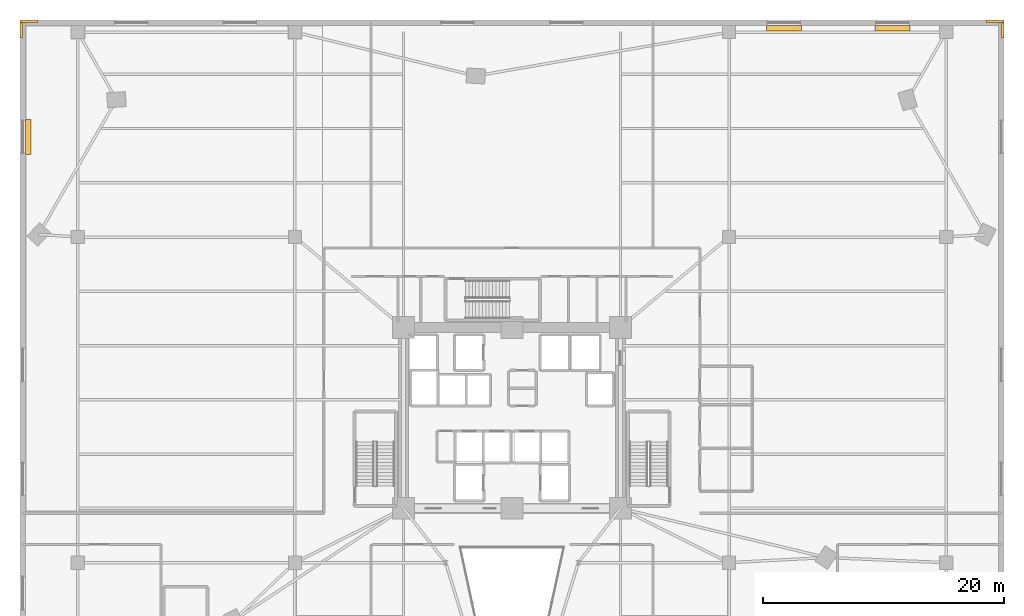
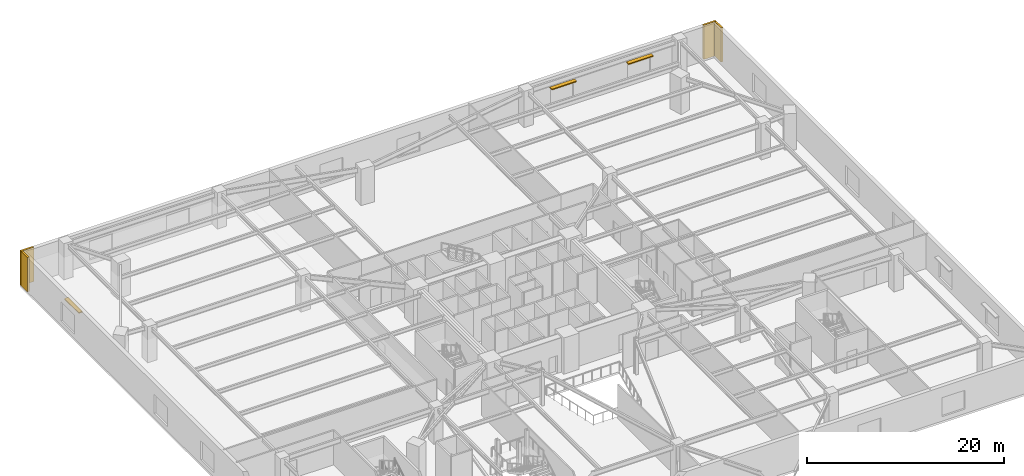
# One storey, part 16 of 16: 4 coverings, 3 shading devices.
"""IFC4 building model written with IfcOpenShell, lengths in metres."""

import ifcopenshell
import ifcopenshell.guid

model = None  # the IFC model being written
_history = None  # IfcOwnerHistory: only IFC2X3 demands one
_inside = {}  # id of a spatial element -> (the spatial element, [elements in it])
_under = {}  # id of a project, library or spatial element -> (it, [spatial elements below it])
_declared = {}  # id of a project -> (the project, [libraries it declares])
_typed = {}  # id of a type object -> (the type object, [elements of that type])
_made_of = {}  # id of a material, layer set ... -> (it, [elements and type objects made of it])


def new_model(schema):
    """Start an empty IFC model of exactly this schema.

    Asked for "IFC4X3", IfcOpenShell would pick the latest addendum, in which some entities
    have other attributes; the version numbers below select the first issue.
    IFC2X3 requires an IfcOwnerHistory on every rooted entity: one is made here for all.
    """
    global model, _history
    if schema == "IFC4X3":
        model = ifcopenshell.file(schema_version=(4, 3, 0, 0))
    else:
        model = ifcopenshell.file(schema=schema)
    _inside.clear()
    _under.clear()
    _declared.clear()
    _typed.clear()
    _made_of.clear()
    _history = None
    if model.schema == "IFC2X3":
        org = make("IfcOrganization", Name="unknown")
        user = make(
            "IfcPersonAndOrganization",
            ThePerson=make("IfcPerson", FamilyName="unknown"),
            TheOrganization=org,
        )
        app = make(
            "IfcApplication",
            ApplicationDeveloper=org,
            Version="unknown",
            ApplicationFullName="unknown",
            ApplicationIdentifier="unknown",
        )
        _history = make(
            "IfcOwnerHistory",
            OwningUser=user,
            OwningApplication=app,
            ChangeAction="ADDED",
            CreationDate=0,
        )
    return model


def make(cls, **values):
    """One entity of the class cls with the attributes given. An attribute that is None is left unset."""
    return model.create_entity(
        cls, **{name: value for name, value in values.items() if value is not None}
    )


def rooted(cls, **values):
    """An entity with a GlobalId (a new one), such as an element, a storey or a relation."""
    return make(cls, GlobalId=ifcopenshell.guid.new(), OwnerHistory=_history, **values)


def si_unit(unit_type, name, prefix=None):
    """IfcSIUnit, for example si_unit("LENGTHUNIT", "METRE", prefix="MILLI")."""
    return make("IfcSIUnit", UnitType=unit_type, Prefix=prefix, Name=name)


def assignment(units):
    """IfcUnitAssignment: the units of a project."""
    return None if units is None else make("IfcUnitAssignment", Units=units)


def point(xyz):
    """IfcCartesianPoint."""
    return None if xyz is None else make("IfcCartesianPoint", Coordinates=xyz)


def direction(xyz):
    """IfcDirection."""
    return None if xyz is None else make("IfcDirection", DirectionRatios=xyz)


def frame(location, z_axis=None, x_axis=None):
    """IfcAxis2Placement3D, a coordinate frame: its origin and axes. An axis left out is left unset."""
    return make(
        "IfcAxis2Placement3D",
        Location=point(location),
        Axis=direction(z_axis),
        RefDirection=direction(x_axis),
    )


def frame_2d(location, x_axis=None):
    """IfcAxis2Placement2D, a coordinate frame in the plane: its origin and x axis."""
    return make(
        "IfcAxis2Placement2D", Location=point(location), RefDirection=direction(x_axis)
    )


def origin():
    """The frame at (0, 0, 0) with its axes left unset."""
    return frame((0.0, 0.0, 0.0))


def origin_2d():
    """The frame at (0, 0) in the plane with its x axis left unset."""
    return frame_2d((0.0, 0.0))


def place(relative_to, where):
    """IfcLocalPlacement: puts the frame where relative to a parent placement (None: the world)."""
    return make(
        "IfcLocalPlacement", PlacementRelTo=relative_to, RelativePlacement=where
    )


def context(
    kind, dimensions, precision=None, world=None, true_north=None, identifier=None
):
    """IfcGeometricRepresentationContext, for example the 3D "Model" context."""
    return make(
        "IfcGeometricRepresentationContext",
        ContextIdentifier=identifier,
        ContextType=kind,
        CoordinateSpaceDimension=dimensions,
        Precision=precision,
        WorldCoordinateSystem=world,
        TrueNorth=true_north,
    )


def subcontext(parent, identifier, kind, view, scale=None):
    """IfcGeometricRepresentationSubContext, for example "Body" below "Model"."""
    return make(
        "IfcGeometricRepresentationSubContext",
        ContextIdentifier=identifier,
        ContextType=kind,
        ParentContext=parent,
        TargetScale=scale,
        TargetView=view,
    )


def project(units=None, contexts=None):
    """IfcProject with its units and contexts."""
    return rooted(
        "IfcProject",
        Name="project",
        RepresentationContexts=contexts,
        UnitsInContext=assignment(units),
    )


def spatial(cls, under=None, at=None, **own):
    """A site, building, storey or space (cls), placed at a placement, below another one or the project."""
    s = rooted(cls, ObjectPlacement=at, **own)
    if under is not None:
        _under.setdefault(under.id(), (under, []))[1].append(s)
    return s


def profile(cls, at=None, kind="AREA", **sizes):
    """A parametric profile (cls). Its sizes go by their IFC names, for example OverallWidth=200.0."""
    return make(cls, ProfileType=kind, Position=at, **sizes)


def rectangle(**sizes):
    """IfcRectangleProfileDef."""
    return profile("IfcRectangleProfileDef", **sizes)


def extrude(swept, where, along, depth):
    """IfcExtrudedAreaSolid: the profile swept, set in the frame where, extruded along a direction by depth."""
    return make(
        "IfcExtrudedAreaSolid",
        SweptArea=swept,
        Position=where,
        ExtrudedDirection=direction(along),
        Depth=depth,
    )


def shape(context_of_items, identifier, shape_type, items):
    """IfcShapeRepresentation: the items that make up one representation, for example the "Body"."""
    return make(
        "IfcShapeRepresentation",
        ContextOfItems=context_of_items,
        RepresentationIdentifier=identifier,
        RepresentationType=shape_type,
        Items=items,
    )


def source(mapping_origin, context_of_items, identifier, shape_type, items):
    """IfcRepresentationMap: a shape defined once, which mapped items show again and again."""
    return make(
        "IfcRepresentationMap",
        MappingOrigin=mapping_origin,
        MappedRepresentation=shape(context_of_items, identifier, shape_type, items),
    )


def transform(
    local_origin,
    x_axis=None,
    y_axis=None,
    z_axis=None,
    scale=None,
    scale2=None,
    scale3=None,
    uniform=True,
):
    """IfcCartesianTransformationOperator3D, or its non-uniform kind. x_axis, y_axis, z_axis: its Axis1, 2, 3."""
    if uniform:
        return make(
            "IfcCartesianTransformationOperator3D",
            Axis1=direction(x_axis),
            Axis2=direction(y_axis),
            LocalOrigin=point(local_origin),
            Scale=scale,
            Axis3=direction(z_axis),
        )
    return make(
        "IfcCartesianTransformationOperator3DnonUniform",
        Axis1=direction(x_axis),
        Axis2=direction(y_axis),
        LocalOrigin=point(local_origin),
        Scale=scale,
        Axis3=direction(z_axis),
        Scale2=scale2,
        Scale3=scale3,
    )


def mapped(mapping_source, mapping_target):
    """IfcMappedItem: shows the shape of a source again, moved by a transform."""
    return make(
        "IfcMappedItem", MappingSource=mapping_source, MappingTarget=mapping_target
    )


def material(Name=None, Category=None):
    """IfcMaterial."""
    return make("IfcMaterial", Name=Name, Category=Category)


def layer(
    of_material, thickness, ventilated=None, Name=None, Category=None, Priority=None
):
    """IfcMaterialLayer: one layer of a wall or slab, of a material (None: an air gap)."""
    return make(
        "IfcMaterialLayer",
        Material=of_material,
        LayerThickness=thickness,
        IsVentilated=ventilated,
        Name=Name,
        Category=Category,
        Priority=Priority,
    )


def layer_set(layers, Name=None):
    """IfcMaterialLayerSet."""
    return make("IfcMaterialLayerSet", MaterialLayers=layers, LayerSetName=Name)


def material_profile(
    of_material, cross_section, Name=None, Category=None, Priority=None
):
    """IfcMaterialProfile: a cross section and its material."""
    return make(
        "IfcMaterialProfile",
        Name=Name,
        Material=of_material,
        Profile=cross_section,
        Priority=Priority,
        Category=Category,
    )


def profile_set(profiles, Name=None, composite=None):
    """IfcMaterialProfileSet."""
    return make(
        "IfcMaterialProfileSet",
        Name=Name,
        MaterialProfiles=profiles,
        CompositeProfile=composite,
    )


def made_of(thing, what):
    """Note that an element or type object is made of a material, layer set ...; save() writes the relation."""
    if what is not None:
        _made_of.setdefault(what.id(), (what, []))[1].append(thing)
    return thing


def type_object(cls, material=None, **own):
    """A type object (cls), such as IfcWallType, which elements share."""
    return made_of(rooted(cls, **own), material)


def element(
    cls,
    number,
    at=None,
    inside=None,
    cuts=None,
    type_object=None,
    material=None,
    context=None,
    identifier="Body",
    shape_type=None,
    held_by="IfcProductDefinitionShape",
    body=None,
    shapes=None,
    **own,
):
    """One element of the class cls, such as IfcWall. Its Tag is "e" and its number.

    at: its placement. inside: the storey or other place that contains it. cuts: it is an
    opening in that element (IfcRelVoidsElement). A single representation is given by context,
    identifier, shape_type and body (its items); several are given by shapes. held_by: the class
    of the entity that holds the representations. save() writes the other relations.
    """
    e = rooted(cls, Tag="e%d" % number, ObjectPlacement=at, **own)
    if body is not None:
        shapes = [shape(context, identifier, shape_type, body)]
    if shapes is not None:
        e.Representation = make(held_by, Representations=shapes)
    if inside is not None:
        _inside.setdefault(inside.id(), (inside, []))[1].append(e)
    if cuts is not None:
        rooted(
            "IfcRelVoidsElement", RelatingBuildingElement=cuts, RelatedOpeningElement=e
        )
    if type_object is not None:
        _typed.setdefault(type_object.id(), (type_object, []))[1].append(e)
    return made_of(e, material)


def aggregate(whole, parts):
    """IfcRelAggregates: a whole, such as a stair, and the parts it consists of."""
    return rooted("IfcRelAggregates", RelatingObject=whole, RelatedObjects=parts)


def save(model, path):
    """Write the relations noted so far, then the file.

    IfcRelAggregates (storeys below a building ...), IfcRelContainedInSpatialStructure (elements
    in a storey), IfcRelDefinesByType, IfcRelAssociatesMaterial and IfcRelDeclares: one each for
    every whole, place, type object, material and project.
    """
    for whole, parts in _under.values():
        aggregate(whole, parts)
    for where, things in _inside.values():
        rooted(
            "IfcRelContainedInSpatialStructure",
            RelatedElements=things,
            RelatingStructure=where,
        )
    for kind, things in _typed.values():
        rooted("IfcRelDefinesByType", RelatedObjects=things, RelatingType=kind)
    for what, things in _made_of.values():
        rooted("IfcRelAssociatesMaterial", RelatedObjects=things, RelatingMaterial=what)
    for by, libraries in _declared.values():
        rooted("IfcRelDeclares", RelatingContext=by, RelatedDefinitions=libraries)
    model.write(path)


model = new_model("IFC4")

# Units and contexts
model_context = context("Model", 3, precision=1e-05, world=origin(), true_north=direction((0.0, 1.0)))
body_context = subcontext(model_context, "Body", "Model", "MODEL_VIEW")
ifc_project = project(units=[si_unit("LENGTHUNIT", "METRE"), si_unit("AREAUNIT", "SQUARE_METRE"), si_unit("VOLUMEUNIT", "CUBIC_METRE"), si_unit("PLANEANGLEUNIT", "RADIAN"), si_unit("MASSUNIT", "GRAM", prefix="KILO")], contexts=[model_context])

# Site, building, storey
site_placement = place(None, origin())
site = spatial("IfcSite", under=ifc_project, at=site_placement, CompositionType="ELEMENT")
building_placement = place(site_placement, origin())
building = spatial("IfcBuilding", under=site, at=building_placement, Name="Liaohun Quay Tower", CompositionType="ELEMENT")
storey_placement = place(building_placement, frame((0.0, 0.0, 14.39990234375)))
storey = spatial("IfcBuildingStorey", under=building, at=storey_placement, Name="L04", CompositionType="ELEMENT", Elevation=14.39990234375)

# Coverings
ifc_material_1 = material(Name="Bush-hammered Liaodong grey granite stone cladding", Category="masonry")
ifc_layer = layer(ifc_material_1, 0.0400390625, Name="Bush-hammered Liaodong grey granite stone cladding", Category="masonry")
ifc_layer_set = layer_set([ifc_layer], Name="Bush-hammered Liaodong grey granite stone cladding")
covering_type = type_object("IfcCoveringType", Name="COV-EXT-CLD", PredefinedType="CLADDING", material=ifc_layer_set)
shared_shape_1 = source(origin(), body_context, "Body", "SweptSolid", [
    extrude(rectangle(XDim=1.5, YDim=0.219970703125, at=origin_2d()), origin(), (0.0, 0.0, 1.0), 4.25),
])
for number, where, z_axis, x_axis, name in (
    (1, (100.050048828125, 86.889892578125, 0.0), (0.0, 0.0, 1.0), (1.0, 0.0, 0.0), "L04 Corner Granite Pier Cladding NE-X"),
    (2, (19.949951171875, 86.889892578125, 0.0), (0.0, 0.0, 1.0), (1.0, 0.0, 0.0), "L04 Corner Granite Pier Cladding NW-X"),
):
    element("IfcCovering", number, at=place(storey_placement, frame(where, z_axis=z_axis, x_axis=x_axis)), inside=storey, type_object=covering_type, Name=name, PredefinedType="CLADDING", context=body_context, shape_type="MappedRepresentation", body=[
        mapped(shared_shape_1, transform((0.0, 0.0, 0.0), x_axis=(1.0, 0.0, 0.0), y_axis=(0.0, 1.0, 0.0), z_axis=(0.0, 0.0, 1.0), scale=1.0)),
    ])
shared_shape_2 = source(origin(), body_context, "Body", "SweptSolid", [
    extrude(rectangle(XDim=0.219970703125, YDim=1.280029296875, at=origin_2d()), origin(), (0.0, 0.0, 1.0), 4.25),
])
for number, where, z_axis, x_axis, name in (
    (3, (100.68994140625, 86.139892578125, 0.0), (0.0, 0.0, 1.0), (1.0, 0.0, 0.0), "L04 Corner Granite Pier Cladding NE-Y"),
    (4, (19.31005859375, 86.139892578125, 0.0), (0.0, 0.0, 1.0), (1.0, 0.0, 0.0), "L04 Corner Granite Pier Cladding NW-Y"),
):
    element("IfcCovering", number, at=place(storey_placement, frame(where, z_axis=z_axis, x_axis=x_axis)), inside=storey, type_object=covering_type, Name=name, PredefinedType="CLADDING", context=body_context, shape_type="MappedRepresentation", body=[
        mapped(shared_shape_2, transform((0.0, 0.0, 0.0), x_axis=(1.0, 0.0, 0.0), y_axis=(0.0, 1.0, 0.0), z_axis=(0.0, 0.0, 1.0), scale=1.0)),
    ])

# Shading devices
ifc_material_2 = material(Name="Precast concrete C50", Category="concrete")
ifc_material_profile = material_profile(ifc_material_2, rectangle(XDim=0.449951171875, YDim=0.1201171875, at=origin_2d()), Name="PRC-SUN-450x120")
ifc_profile_set = profile_set([ifc_material_profile], Name="Precast concrete C50")
shading_device_type = type_object("IfcShadingDeviceType", Name="SHD-SUN-POD", PredefinedType="SHUTTER", material=ifc_profile_set)
shared_shape_3 = source(origin(), body_context, "Body", "SweptSolid", [
    extrude(rectangle(XDim=0.449951171875, YDim=0.1201171875, at=origin_2d()), origin(), (0.0, 0.0, 1.0), 2.89990234375),
])
for number, where, z_axis, x_axis, name in (
    (5, (93.00390625, 86.320068359375, 3.050048828125), (-1.0, 0.0, 0.0), (0.0, -1.0, 0.0), "L04 Precast Window Thermal Hood SN-1-02-01"),
    (6, (83.989013671875, 86.320068359375, 3.050048828125), (-1.0, 0.0, 0.0), (0.0, -1.0, 0.0), "L04 Precast Window Thermal Hood SN-1-02-02"),
):
    element("IfcShadingDevice", number, at=place(storey_placement, frame(where, z_axis=z_axis, x_axis=x_axis)), inside=storey, type_object=shading_device_type, Name=name, PredefinedType="SHUTTER", context=body_context, shape_type="MappedRepresentation", body=[
        mapped(shared_shape_3, transform((0.0, 0.0, 0.0), x_axis=(1.0, 0.0, 0.0), y_axis=(0.0, 1.0, 0.0), z_axis=(0.0, 0.0, 1.0), scale=1.0)),
    ])
shared_shape_4 = source(origin(), body_context, "Body", "SweptSolid", [
    extrude(rectangle(XDim=0.449951171875, YDim=0.1201171875, at=origin_2d()), origin(), (0.0, 0.0, 1.0), 2.900146484375),
])
shading_device_placement = place(storey_placement, frame((19.8798828125, 78.759033203125, 3.050048828125), z_axis=(0.0, -1.0, 0.0), x_axis=(1.0, 0.0, 0.0)))
element("IfcShadingDevice", 7, at=shading_device_placement, inside=storey, type_object=shading_device_type, Name="L04 Precast Window Thermal Hood SN-1-03-01", PredefinedType="SHUTTER", context=body_context, shape_type="MappedRepresentation", body=[
    mapped(shared_shape_4, transform((0.0, 0.0, 0.0), x_axis=(1.0, 0.0, 0.0), y_axis=(0.0, 1.0, 0.0), z_axis=(0.0, 0.0, 1.0), scale=1.0)),
])

save(model, "model.ifc")
